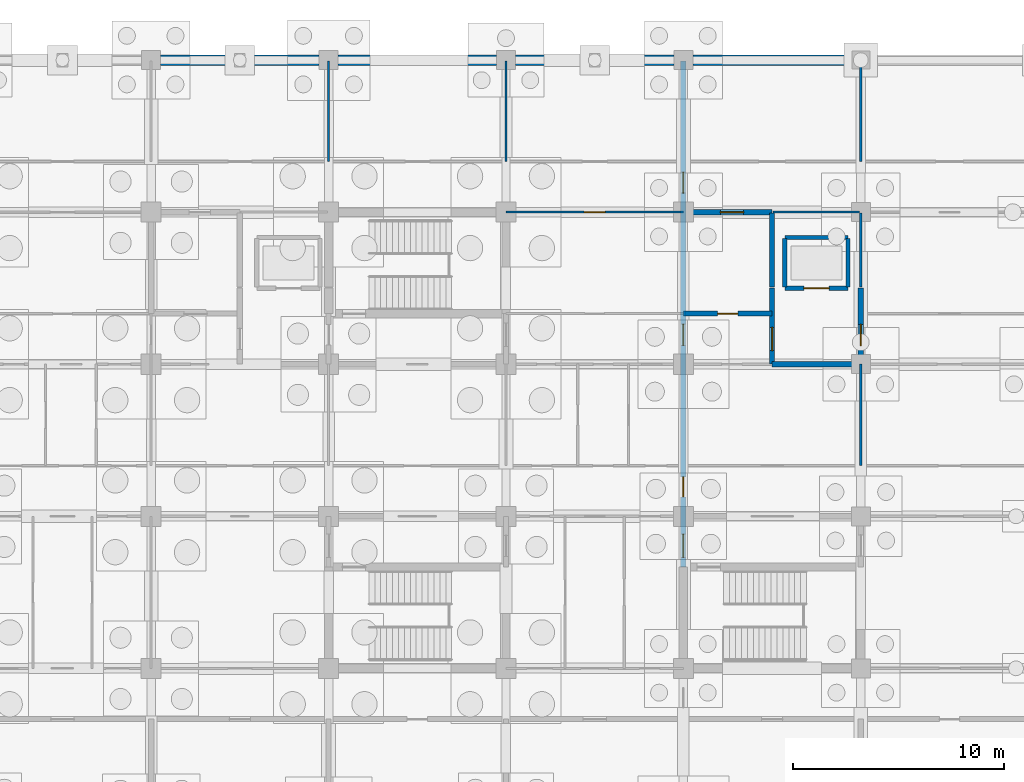
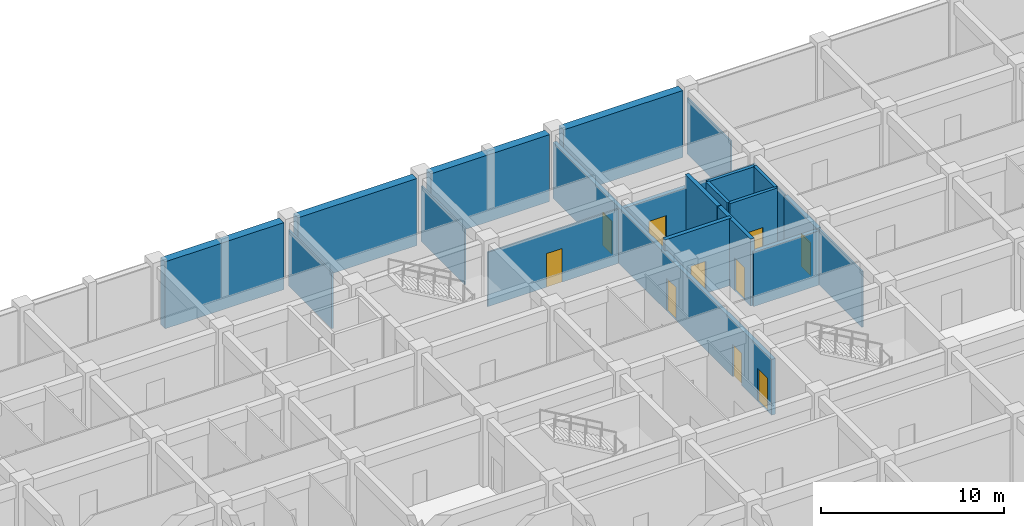
# One storey, part 75 of 85: 22 walls, 10 doors, 10 openings.
"""IFC4 building model written with IfcOpenShell, lengths in metres."""

from ifc_helpers import new_model, si_unit, direction, frame, frame_2d, origin, place, context, subcontext, project, spatial, rectangle, extrude, material, layer, layer_set, type_object, element, fill, save


model = new_model("IFC4")

# Units and contexts
model_context = context("Model", 3, precision=1e-05, world=origin(), true_north=direction((0.0, 1.0)))
body_context = subcontext(model_context, "Body", "Model", "MODEL_VIEW")
ifc_project = project(units=[si_unit("LENGTHUNIT", "METRE"), si_unit("AREAUNIT", "SQUARE_METRE"), si_unit("VOLUMEUNIT", "CUBIC_METRE"), si_unit("PLANEANGLEUNIT", "RADIAN"), si_unit("MASSUNIT", "GRAM", prefix="KILO")], contexts=[model_context])

# Site, building, storey
site_placement = place(None, origin())
site = spatial("IfcSite", under=ifc_project, at=site_placement, CompositionType="ELEMENT")
building_placement = place(site_placement, origin())
building = spatial("IfcBuilding", under=site, at=building_placement, Name="Chengyuan Square Courthouse", CompositionType="ELEMENT")
storey_placement = place(building_placement, frame((0.0, 0.0, -10.199951171875)))
storey = spatial("IfcBuildingStorey", under=building, at=storey_placement, Name="B02", CompositionType="ELEMENT", Elevation=-10.199951171875)

# Wall
ifc_material_1 = material(Name="Concrete C40", Category="concrete")
ifc_layer_1 = layer(ifc_material_1, 0.25)
ifc_layer_set_1 = layer_set([ifc_layer_1], Name="Concrete C40")
wall_type_1 = type_object("IfcWallType", Name="WL-FW1", PredefinedType="STANDARD", material=ifc_layer_set_1)
wall_1_placement = place(storey_placement, frame((121.800048828125, 100.800048828125, 0.0), z_axis=(0.0, 0.0, 1.0), x_axis=(1.0, 0.0, 0.0)))
element("IfcWall", 1, at=wall_1_placement, inside=storey, type_object=wall_type_1, Name="Interior Wall WL-B02-I071", PredefinedType="STANDARD", context=body_context, shape_type="SweptSolid", body=[
    extrude(rectangle(XDim=4.199951171875, YDim=0.25, at=frame_2d((2.10009765625, 0.0))), origin(), (0.0, 0.0, 1.0), 3.6298828125),
])

# Wall, opening, door
wall_2_placement = place(storey_placement, frame((117.60009765625, 103.199951171875, 0.0), z_axis=(0.0, 0.0, 1.0), x_axis=(1.0, 0.0, 0.0)))
wall_2 = element("IfcWall", 2, at=wall_2_placement, inside=storey, type_object=wall_type_1, Name="Interior Wall WL-B02-I083", PredefinedType="STANDARD", context=body_context, shape_type="SweptSolid", body=[
    extrude(rectangle(XDim=4.199951171875, YDim=0.25, at=frame_2d((2.10009765625, 0.0))), origin(), (0.0, 0.0, 1.0), 4.47998046875),
])
opening_1_placement = place(wall_2_placement, frame((1.625, 0.0, 0.0)))
opening_1 = element("IfcOpeningElement", 3, at=opening_1_placement, cuts=wall_2, Name="Opening DR-078", PredefinedType="OPENING", context=body_context, shape_type="SweptSolid", body=[
    extrude(rectangle(XDim=0.949951171875, YDim=2.14990234375, at=frame_2d((0.47509765625, 1.074951171875))), frame((0.0, 0.136962890625, 0.0), z_axis=(0.0, -1.0, 0.0), x_axis=(1.0, 0.0, 0.0)), (0.0, 0.0, 1.0), 0.27392578125),
])
ifc_material_2 = material(Name="Steel Q235B Fire Door", Category="steel")
door_type_1 = type_object("IfcDoorType", Name="DT-12", OperationType="NOTDEFINED", PredefinedType="DOOR", material=ifc_material_2)
door_1_placement = place(opening_1_placement, origin())
door_1 = element("IfcDoor", 4, at=door_1_placement, inside=storey, type_object=door_type_1, Name="Interior Door DR-078", OperationType="SINGLE_SWING_RIGHT", OverallHeight=2.14990234375, OverallWidth=0.949951171875, PredefinedType="DOOR", context=body_context, shape_type="SweptSolid", body=[
    extrude(rectangle(XDim=0.949951171875, YDim=2.14990234375, at=frame_2d((0.47509765625, 1.074951171875))), frame((0.0, 0.02490234375, 0.0), z_axis=(0.0, -1.0, 0.0), x_axis=(1.0, 0.0, 0.0)), (0.0, 0.0, 1.0), 0.050048828125),
])
fill(opening_1, door_1)

wall_3_placement = place(storey_placement, frame((117.60009765625, 108.0, 0.0), z_axis=(0.0, 0.0, 1.0), x_axis=(1.0, 0.0, 0.0)))
wall_3 = element("IfcWall", 5, at=wall_3_placement, inside=storey, type_object=wall_type_1, Name="Interior Wall WL-B02-I106", PredefinedType="STANDARD", context=body_context, shape_type="SweptSolid", body=[
    extrude(rectangle(XDim=4.199951171875, YDim=0.25, at=frame_2d((2.10009765625, 0.0))), origin(), (0.0, 0.0, 1.0), 3.6298828125),
])
opening_2_placement = place(wall_3_placement, frame((1.74755859375, 0.0, 0.0)))
opening_2 = element("IfcOpeningElement", 6, at=opening_2_placement, cuts=wall_3, Name="Opening DR-082", PredefinedType="OPENING", context=body_context, shape_type="SweptSolid", body=[
    extrude(rectangle(XDim=1.10009765625, YDim=2.199951171875, at=frame_2d((0.550048828125, 1.10009765625))), frame((0.0, 0.136962890625, 0.0), z_axis=(0.0, -1.0, 0.0), x_axis=(1.0, 0.0, 0.0)), (0.0, 0.0, 1.0), 0.27392578125),
])
door_type_2 = type_object("IfcDoorType", Name="DT-10", OperationType="NOTDEFINED", PredefinedType="DOOR", material=ifc_material_2)
door_2_placement = place(opening_2_placement, origin())
door_2 = element("IfcDoor", 7, at=door_2_placement, inside=storey, type_object=door_type_2, Name="Interior Door DR-082", OperationType="SINGLE_SWING_RIGHT", OverallHeight=2.199951171875, OverallWidth=1.10009765625, PredefinedType="DOOR", context=body_context, shape_type="SweptSolid", body=[
    extrude(rectangle(XDim=1.10009765625, YDim=2.199951171875, at=frame_2d((0.550048828125, 1.10009765625))), frame((0.0, 0.02490234375, 0.0), z_axis=(0.0, -1.0, 0.0), x_axis=(1.0, 0.0, 0.0)), (0.0, 0.0, 1.0), 0.050048828125),
])
fill(opening_2, door_2)

# Wall, openings, doors
wall_4_placement = place(storey_placement, frame((117.60009765625, 91.199951171875, 0.0), z_axis=(0.0, 0.0, 1.0), x_axis=(0.0, 1.0, 0.0)))
wall_4 = element("IfcWall", 8, at=wall_4_placement, inside=storey, type_object=wall_type_1, Name="Interior Wall WL-B02-I234", PredefinedType="STANDARD", context=body_context, shape_type="SweptSolid", body=[
    extrude(rectangle(XDim=23.9599609375, YDim=0.25, at=frame_2d((11.97998046875, 0.0))), origin(), (0.0, 0.0, 1.0), 3.72998046875),
])
opening_3_placement = place(wall_4_placement, frame((0.452392578125, 0.0, 0.0)))
opening_3 = element("IfcOpeningElement", 9, at=opening_3_placement, cuts=wall_4, Name="Opening DR-037", PredefinedType="OPENING", context=body_context, shape_type="SweptSolid", body=[
    extrude(rectangle(XDim=1.10009765625, YDim=2.199951171875, at=frame_2d((0.550048828125, 1.10009765625))), frame((0.0, 0.136962890625, 0.0), z_axis=(0.0, -1.0, 0.0), x_axis=(1.0, 0.0, 0.0)), (0.0, 0.0, 1.0), 0.27392578125),
])
opening_4_placement = place(wall_4_placement, frame((10.49755859375, 0.0, 0.0)))
opening_4 = element("IfcOpeningElement", 10, at=opening_4_placement, cuts=wall_4, Name="Opening DR-080", PredefinedType="OPENING", context=body_context, shape_type="SweptSolid", body=[
    extrude(rectangle(XDim=1.0, YDim=2.199951171875, at=frame_2d((0.5, 1.10009765625))), frame((0.0, 0.136962890625, 0.0), z_axis=(0.0, -1.0, 0.0), x_axis=(1.0, 0.0, 0.0)), (0.0, 0.0, 1.0), 0.27392578125),
])
opening_5_placement = place(wall_4_placement, frame((3.322509765625, 0.0, 0.0)))
opening_5 = element("IfcOpeningElement", 11, at=opening_5_placement, cuts=wall_4, Name="Opening DR-177", PredefinedType="OPENING", context=body_context, shape_type="SweptSolid", body=[
    extrude(rectangle(XDim=0.949951171875, YDim=2.14990234375, at=frame_2d((0.47509765625, 1.074951171875))), frame((0.0, 0.136962890625, 0.0), z_axis=(0.0, -1.0, 0.0), x_axis=(1.0, 0.0, 0.0)), (0.0, 0.0, 1.0), 0.27392578125),
])
opening_6_placement = place(wall_4_placement, frame((17.697509765625, 0.0, 0.0)))
opening_6 = element("IfcOpeningElement", 12, at=opening_6_placement, cuts=wall_4, Name="Opening DR-278", PredefinedType="OPENING", context=body_context, shape_type="SweptSolid", body=[
    extrude(rectangle(XDim=1.0, YDim=2.199951171875, at=frame_2d((0.5, 1.10009765625))), frame((0.0, 0.136962890625, 0.0), z_axis=(0.0, -1.0, 0.0), x_axis=(1.0, 0.0, 0.0)), (0.0, 0.0, 1.0), 0.27392578125),
])
door_3_placement = place(opening_3_placement, origin())
door_3 = element("IfcDoor", 13, at=door_3_placement, inside=storey, type_object=door_type_2, Name="Interior Door DR-037", OperationType="SINGLE_SWING_LEFT", OverallHeight=2.199951171875, OverallWidth=1.10009765625, PredefinedType="DOOR", context=body_context, shape_type="SweptSolid", body=[
    extrude(rectangle(XDim=1.10009765625, YDim=2.199951171875, at=frame_2d((0.550048828125, 1.10009765625))), frame((0.0, 0.02490234375, 0.0), z_axis=(0.0, -1.0, 0.0), x_axis=(1.0, 0.0, 0.0)), (0.0, 0.0, 1.0), 0.050048828125),
])
fill(opening_3, door_3)
door_type_3 = type_object("IfcDoorType", Name="DT-11", OperationType="NOTDEFINED", PredefinedType="DOOR", material=ifc_material_2)
door_4_placement = place(opening_4_placement, origin())
door_4 = element("IfcDoor", 14, at=door_4_placement, inside=storey, type_object=door_type_3, Name="Interior Door DR-080", OperationType="SINGLE_SWING_RIGHT", OverallHeight=2.199951171875, OverallWidth=1.0, PredefinedType="DOOR", context=body_context, shape_type="SweptSolid", body=[
    extrude(rectangle(XDim=1.0, YDim=2.199951171875, at=frame_2d((0.5, 1.10009765625))), frame((0.0, 0.02490234375, 0.0), z_axis=(0.0, -1.0, 0.0), x_axis=(1.0, 0.0, 0.0)), (0.0, 0.0, 1.0), 0.050048828125),
])
fill(opening_4, door_4)
door_5_placement = place(opening_6_placement, origin())
door_5 = element("IfcDoor", 15, at=door_5_placement, inside=storey, type_object=door_type_3, Name="Interior Door DR-278", OperationType="SINGLE_SWING_LEFT", OverallHeight=2.199951171875, OverallWidth=1.0, PredefinedType="DOOR", context=body_context, shape_type="SweptSolid", body=[
    extrude(rectangle(XDim=1.0, YDim=2.199951171875, at=frame_2d((0.5, 1.10009765625))), frame((0.0, 0.02490234375, 0.0), z_axis=(0.0, -1.0, 0.0), x_axis=(1.0, 0.0, 0.0)), (0.0, 0.0, 1.0), 0.050048828125),
])
fill(opening_6, door_5)
door_6_placement = place(opening_5_placement, origin())
door_6 = element("IfcDoor", 16, at=door_6_placement, inside=storey, type_object=door_type_1, Name="Interior Door DR-177", OperationType="SINGLE_SWING_RIGHT", OverallHeight=2.14990234375, OverallWidth=0.949951171875, PredefinedType="DOOR", context=body_context, shape_type="SweptSolid", body=[
    extrude(rectangle(XDim=0.949951171875, YDim=2.14990234375, at=frame_2d((0.47509765625, 1.074951171875))), frame((0.0, 0.02490234375, 0.0), z_axis=(0.0, -1.0, 0.0), x_axis=(1.0, 0.0, 0.0)), (0.0, 0.0, 1.0), 0.050048828125),
])
fill(opening_5, door_6)

# Wall, opening, door
wall_5_placement = place(storey_placement, frame((121.800048828125, 100.800048828125, 0.0), z_axis=(0.0, 0.0, 1.0), x_axis=(0.0, 1.0, 0.0)))
wall_5 = element("IfcWall", 17, at=wall_5_placement, inside=storey, type_object=wall_type_1, Name="Interior Wall WL-B02-I235", PredefinedType="STANDARD", context=body_context, shape_type="SweptSolid", body=[
    extrude(rectangle(XDim=3.599853515625, YDim=0.25, at=frame_2d((1.7998046875, 0.0))), origin(), (0.0, 0.0, 1.0), 4.47998046875),
])
opening_7_placement = place(wall_5_placement, frame((0.64990234375, 0.0, 0.0)))
opening_7 = element("IfcOpeningElement", 18, at=opening_7_placement, cuts=wall_5, Name="Opening DR-079", PredefinedType="OPENING", context=body_context, shape_type="SweptSolid", body=[
    extrude(rectangle(XDim=1.10009765625, YDim=2.199951171875, at=frame_2d((0.550048828125, 1.10009765625))), frame((0.0, 0.136962890625, 0.0), z_axis=(0.0, -1.0, 0.0), x_axis=(1.0, 0.0, 0.0)), (0.0, 0.0, 1.0), 0.27392578125),
])
door_7_placement = place(opening_7_placement, origin())
door_7 = element("IfcDoor", 19, at=door_7_placement, inside=storey, type_object=door_type_2, Name="Interior Door DR-079", OperationType="SINGLE_SWING_LEFT", OverallHeight=2.199951171875, OverallWidth=1.10009765625, PredefinedType="DOOR", context=body_context, shape_type="SweptSolid", body=[
    extrude(rectangle(XDim=1.10009765625, YDim=2.199951171875, at=frame_2d((0.550048828125, 1.10009765625))), frame((0.0, 0.02490234375, 0.0), z_axis=(0.0, -1.0, 0.0), x_axis=(1.0, 0.0, 0.0)), (0.0, 0.0, 1.0), 0.050048828125),
])
fill(opening_7, door_7)

# Wall
wall_6_placement = place(storey_placement, frame((121.800048828125, 104.449951171875, 0.0), z_axis=(0.0, 0.0, 1.0), x_axis=(0.0, 1.0, 0.0)))
element("IfcWall", 20, at=wall_6_placement, inside=storey, type_object=wall_type_1, Name="Interior Wall WL-B02-I236", PredefinedType="STANDARD", context=body_context, shape_type="SweptSolid", body=[
    extrude(rectangle(XDim=3.5, YDim=0.25, at=frame_2d((1.75, 0.0))), origin(), (0.0, 0.0, 1.0), 4.47998046875),
])

# Wall, opening, door
wall_7_placement = place(storey_placement, frame((126.0, 100.800048828125, 0.0), z_axis=(0.0, 0.0, 1.0), x_axis=(0.0, 1.0, 0.0)))
wall_7 = element("IfcWall", 21, at=wall_7_placement, inside=storey, type_object=wall_type_1, Name="Interior Wall WL-B02-I243", PredefinedType="STANDARD", context=body_context, shape_type="SweptSolid", body=[
    extrude(rectangle(XDim=3.599853515625, YDim=0.25, at=frame_2d((1.7998046875, 0.0))), origin(), (0.0, 0.0, 1.0), 3.72998046875),
])
opening_8_placement = place(wall_7_placement, frame((0.885009765625, 0.0, 0.0)))
opening_8 = element("IfcOpeningElement", 22, at=opening_8_placement, cuts=wall_7, Name="Opening DR-083", PredefinedType="OPENING", context=body_context, shape_type="SweptSolid", body=[
    extrude(rectangle(XDim=1.0, YDim=2.199951171875, at=frame_2d((0.5, 1.10009765625))), frame((0.0, 0.136962890625, 0.0), z_axis=(0.0, -1.0, 0.0), x_axis=(1.0, 0.0, 0.0)), (0.0, 0.0, 1.0), 0.27392578125),
])
door_8_placement = place(opening_8_placement, origin())
door_8 = element("IfcDoor", 23, at=door_8_placement, inside=storey, type_object=door_type_3, Name="Interior Door DR-083", OperationType="SINGLE_SWING_LEFT", OverallHeight=2.199951171875, OverallWidth=1.0, PredefinedType="DOOR", context=body_context, shape_type="SweptSolid", body=[
    extrude(rectangle(XDim=1.0, YDim=2.199951171875, at=frame_2d((0.5, 1.10009765625))), frame((0.0, 0.02490234375, 0.0), z_axis=(0.0, -1.0, 0.0), x_axis=(1.0, 0.0, 0.0)), (0.0, 0.0, 1.0), 0.050048828125),
])
fill(opening_8, door_8)

ifc_material_3 = material(Name="Gypsum Plasterboard Acoustic Stud Partition")
ifc_layer_2 = layer(ifc_material_3, 0.10009765625)
ifc_layer_set_2 = layer_set([ifc_layer_2], Name="Gypsum Plasterboard Acoustic Stud Partition")
wall_type_2 = type_object("IfcWallType", Name="WL-PT6", PredefinedType="STANDARD", material=ifc_layer_set_2)
wall_8_placement = place(storey_placement, frame((109.199951171875, 108.0, 0.0), z_axis=(0.0, 0.0, 1.0), x_axis=(1.0, 0.0, 0.0)))
wall_8 = element("IfcWall", 24, at=wall_8_placement, inside=storey, type_object=wall_type_2, Name="Interior Wall WL-B02-I105", PredefinedType="STANDARD", context=body_context, shape_type="SweptSolid", body=[
    extrude(rectangle(XDim=8.400146484375, YDim=0.10009765625, at=frame_2d((4.2001953125, 0.0))), origin(), (0.0, 0.0, 1.0), 3.6298828125),
])
opening_9_placement = place(wall_8_placement, frame((3.699951171875, 0.0, 0.0)))
opening_9 = element("IfcOpeningElement", 25, at=opening_9_placement, cuts=wall_8, Name="Opening DR-124", PredefinedType="OPENING", context=body_context, shape_type="SweptSolid", body=[
    extrude(rectangle(XDim=1.0, YDim=2.25, at=frame_2d((0.5, 1.125))), frame((0.0, 0.06201171875, 0.0), z_axis=(0.0, -1.0, 0.0), x_axis=(1.0, 0.0, 0.0)), (0.0, 0.0, 1.0), 0.1240234375),
])
ifc_material_4 = material(Name="Acoustic Solid-Core Timber Door", Category="wood")
door_type_4 = type_object("IfcDoorType", Name="DT-31", OperationType="NOTDEFINED", PredefinedType="DOOR", material=ifc_material_4)
door_9_placement = place(opening_9_placement, origin())
door_9 = element("IfcDoor", 26, at=door_9_placement, inside=storey, type_object=door_type_4, Name="Interior Door DR-124", OperationType="SINGLE_SWING_RIGHT", OverallHeight=2.25, OverallWidth=1.0, PredefinedType="DOOR", context=body_context, shape_type="SweptSolid", body=[
    extrude(rectangle(XDim=1.0, YDim=2.25, at=frame_2d((0.5, 1.125))), frame((0.0, 0.02490234375, 0.0), z_axis=(0.0, -1.0, 0.0), x_axis=(1.0, 0.0, 0.0)), (0.0, 0.0, 1.0), 0.050048828125),
])
fill(opening_9, door_9)

# Walls
wall_9_placement = place(storey_placement, frame((121.85009765625, 108.0, 0.0), z_axis=(0.0, 0.0, 1.0), x_axis=(1.0, 0.0, 0.0)))
element("IfcWall", 27, at=wall_9_placement, inside=storey, type_object=wall_type_2, Name="Interior Wall WL-B02-I107", PredefinedType="STANDARD", context=body_context, shape_type="SweptSolid", body=[
    extrude(rectangle(XDim=4.099853515625, YDim=0.10009765625, at=frame_2d((2.0498046875, 0.0))), origin(), (0.0, 0.0, 1.0), 3.6298828125),
])
for number, where, z_axis, x_axis, name in (
    (28, (100.800048828125, 110.39990234375, 0.0), (0.0, 0.0, 1.0), (0.0, 1.0, 0.0), "Interior Wall WL-B02-I220"),
    (29, (109.199951171875, 110.39990234375, 0.0), (0.0, 0.0, 1.0), (0.0, 1.0, 0.0), "Interior Wall WL-B02-I227"),
):
    element("IfcWall", number, at=place(storey_placement, frame(where, z_axis=z_axis, x_axis=x_axis)), inside=storey, type_object=wall_type_2, Name=name, PredefinedType="STANDARD", context=body_context, shape_type="SweptSolid", body=[
        extrude(rectangle(XDim=4.760009765625, YDim=0.10009765625, at=frame_2d((2.3798828125, 0.0))), origin(), (0.0, 0.0, 1.0), 3.72998046875),
    ])
wall_10_placement = place(storey_placement, frame((126.0, 96.0, 0.0), z_axis=(0.0, 0.0, 1.0), x_axis=(0.0, 1.0, 0.0)))
element("IfcWall", 30, at=wall_10_placement, inside=storey, type_object=wall_type_2, Name="Interior Wall WL-B02-I242", PredefinedType="STANDARD", context=body_context, shape_type="SweptSolid", body=[
    extrude(rectangle(XDim=4.800048828125, YDim=0.10009765625, at=frame_2d((2.39990234375, 0.0))), origin(), (0.0, 0.0, 1.0), 3.72998046875),
])
wall_11_placement = place(storey_placement, frame((126.0, 104.449951171875, 0.0), z_axis=(0.0, 0.0, 1.0), x_axis=(0.0, 1.0, 0.0)))
element("IfcWall", 31, at=wall_11_placement, inside=storey, type_object=wall_type_2, Name="Interior Wall WL-B02-I244", PredefinedType="STANDARD", context=body_context, shape_type="SweptSolid", body=[
    extrude(rectangle(XDim=3.5, YDim=0.10009765625, at=frame_2d((1.75, 0.0))), origin(), (0.0, 0.0, 1.0), 3.72998046875),
])
wall_12_placement = place(storey_placement, frame((126.0, 110.39990234375, 0.0), z_axis=(0.0, 0.0, 1.0), x_axis=(0.0, 1.0, 0.0)))
element("IfcWall", 32, at=wall_12_placement, inside=storey, type_object=wall_type_2, Name="Interior Wall WL-B02-I245", PredefinedType="STANDARD", context=body_context, shape_type="SweptSolid", body=[
    extrude(rectangle(XDim=4.760009765625, YDim=0.10009765625, at=frame_2d((2.3798828125, 0.0))), origin(), (0.0, 0.0, 1.0), 3.72998046875),
])
ifc_layer_3 = layer(ifc_material_1, 0.5)
ifc_layer_set_3 = layer_set([ifc_layer_3], Name="Concrete C40")
wall_type_3 = type_object("IfcWallType", Name="WL-RW1", PredefinedType="USERDEFINED", material=ifc_layer_set_3)
wall_13_placement = place(storey_placement, frame((92.844970703125, 115.199951171875, 0.0), z_axis=(0.0, 0.0, 1.0), x_axis=(1.0, 0.0, 0.0)))
element("IfcWall", 33, at=wall_13_placement, inside=storey, type_object=wall_type_3, Name="Basement Retaining Wall WL-B02-E040", ObjectType="RETAININGWALL", PredefinedType="USERDEFINED", context=body_context, shape_type="SweptSolid", body=[
    extrude(rectangle(XDim=7.510009765625, YDim=0.5, at=frame_2d((3.7548828125, 0.0))), origin(), (0.0, 0.0, 1.0), 4.47998046875),
])
wall_14_placement = place(storey_placement, frame((101.2451171875, 115.199951171875, 0.0), z_axis=(0.0, 0.0, 1.0), x_axis=(1.0, 0.0, 0.0)))
element("IfcWall", 34, at=wall_14_placement, inside=storey, type_object=wall_type_3, Name="Basement Retaining Wall WL-B02-E042", ObjectType="RETAININGWALL", PredefinedType="USERDEFINED", context=body_context, shape_type="SweptSolid", body=[
    extrude(rectangle(XDim=7.509765625, YDim=0.5, at=frame_2d((3.7548828125, 0.0))), origin(), (0.0, 0.0, 1.0), 4.47998046875),
])
wall_15_placement = place(storey_placement, frame((109.64501953125, 115.199951171875, 0.0), z_axis=(0.0, 0.0, 1.0), x_axis=(1.0, 0.0, 0.0)))
element("IfcWall", 35, at=wall_15_placement, inside=storey, type_object=wall_type_3, Name="Basement Retaining Wall WL-B02-E044", ObjectType="RETAININGWALL", PredefinedType="USERDEFINED", context=body_context, shape_type="SweptSolid", body=[
    extrude(rectangle(XDim=7.510009765625, YDim=0.5, at=frame_2d((3.7548828125, 0.0))), origin(), (0.0, 0.0, 1.0), 4.47998046875),
])
wall_16_placement = place(storey_placement, frame((118.044921875, 115.199951171875, 0.0), z_axis=(0.0, 0.0, 1.0), x_axis=(1.0, 0.0, 0.0)))
element("IfcWall", 36, at=wall_16_placement, inside=storey, type_object=wall_type_3, Name="Basement Retaining Wall WL-B02-E046", ObjectType="RETAININGWALL", PredefinedType="USERDEFINED", context=body_context, shape_type="SweptSolid", body=[
    extrude(rectangle(XDim=7.53515625, YDim=0.5, at=frame_2d((3.767578125, 0.0))), origin(), (0.0, 0.0, 1.0), 4.47998046875),
])

# Wall, opening, door
ifc_material_5 = material(Name="Reinforced Masonry Shaft Enclosure", Category="masonry")
ifc_layer_4 = layer(ifc_material_5, 0.199951171875)
ifc_layer_set_4 = layer_set([ifc_layer_4], Name="Reinforced Masonry Shaft Enclosure")
wall_type_4 = type_object("IfcWallType", Name="WL-SH1", PredefinedType="STANDARD", material=ifc_layer_set_4)
wall_17_placement = place(storey_placement, frame((122.39990234375, 104.39990234375, 0.0), z_axis=(0.0, 0.0, 1.0), x_axis=(1.0, 0.0, 0.0)))
wall_17 = element("IfcWall", 37, at=wall_17_placement, inside=storey, type_object=wall_type_4, Name="Interior Wall WL-B02-I089", PredefinedType="STANDARD", context=body_context, shape_type="SweptSolid", body=[
    extrude(rectangle(XDim=3.0, YDim=0.199951171875, at=frame_2d((1.5, 0.0))), origin(), (0.0, 0.0, 1.0), 4.47998046875),
])
opening_10_placement = place(wall_17_placement, frame((0.89990234375, 0.0, 0.0)))
opening_10 = element("IfcOpeningElement", 38, at=opening_10_placement, cuts=wall_17, Name="Opening LD-004", PredefinedType="OPENING", context=body_context, shape_type="SweptSolid", body=[
    extrude(rectangle(XDim=1.199951171875, YDim=2.14990234375, at=frame_2d((0.60009765625, 1.074951171875))), frame((0.0, 0.112060546875, 0.0), z_axis=(0.0, -1.0, 0.0), x_axis=(1.0, 0.0, 0.0)), (0.0, 0.0, 1.0), 0.223876953125),
])
ifc_material_6 = material(Name="Stainless Steel S30408 Lift Landing Door", Category="steel")
door_type_5 = type_object("IfcDoorType", Name="DT-05", OperationType="DOUBLE_DOOR_SLIDING", PredefinedType="DOOR", material=ifc_material_6)
door_10_placement = place(opening_10_placement, origin())
door_10 = element("IfcDoor", 39, at=door_10_placement, inside=storey, type_object=door_type_5, Name="Lift Landing Door LF-F4 B02", OperationType="DOUBLE_DOOR_SLIDING", OverallHeight=2.14990234375, OverallWidth=1.199951171875, PredefinedType="DOOR", context=body_context, shape_type="SweptSolid", body=[
    extrude(rectangle(XDim=1.199951171875, YDim=2.14990234375, at=frame_2d((0.60009765625, 1.074951171875))), frame((0.0, 0.02490234375, 0.0), z_axis=(0.0, -1.0, 0.0), x_axis=(1.0, 0.0, 0.0)), (0.0, 0.0, 1.0), 0.050048828125),
])
fill(opening_10, door_10)

# Walls
wall_18_placement = place(storey_placement, frame((122.39990234375, 106.800048828125, 0.0), z_axis=(0.0, 0.0, 1.0), x_axis=(1.0, 0.0, 0.0)))
element("IfcWall", 40, at=wall_18_placement, inside=storey, type_object=wall_type_4, Name="Interior Wall WL-B02-I093", PredefinedType="STANDARD", context=body_context, shape_type="SweptSolid", body=[
    extrude(rectangle(XDim=3.0, YDim=0.199951171875, at=frame_2d((1.5, 0.0))), origin(), (0.0, 0.0, 1.0), 4.47998046875),
])
for number, where, z_axis, x_axis, name in (
    (41, (122.39990234375, 104.449951171875, 0.0), (0.0, 0.0, 1.0), (0.0, 1.0, 0.0), "Interior Wall WL-B02-I237"),
    (42, (125.39990234375, 104.449951171875, 0.0), (0.0, 0.0, 1.0), (0.0, 1.0, 0.0), "Interior Wall WL-B02-I238"),
):
    element("IfcWall", number, at=place(storey_placement, frame(where, z_axis=z_axis, x_axis=x_axis)), inside=storey, type_object=wall_type_4, Name=name, PredefinedType="STANDARD", context=body_context, shape_type="SweptSolid", body=[
        extrude(rectangle(XDim=2.300048828125, YDim=0.199951171875, at=frame_2d((1.14990234375, 0.0))), origin(), (0.0, 0.0, 1.0), 4.47998046875),
    ])

save(model, "model.ifc")
